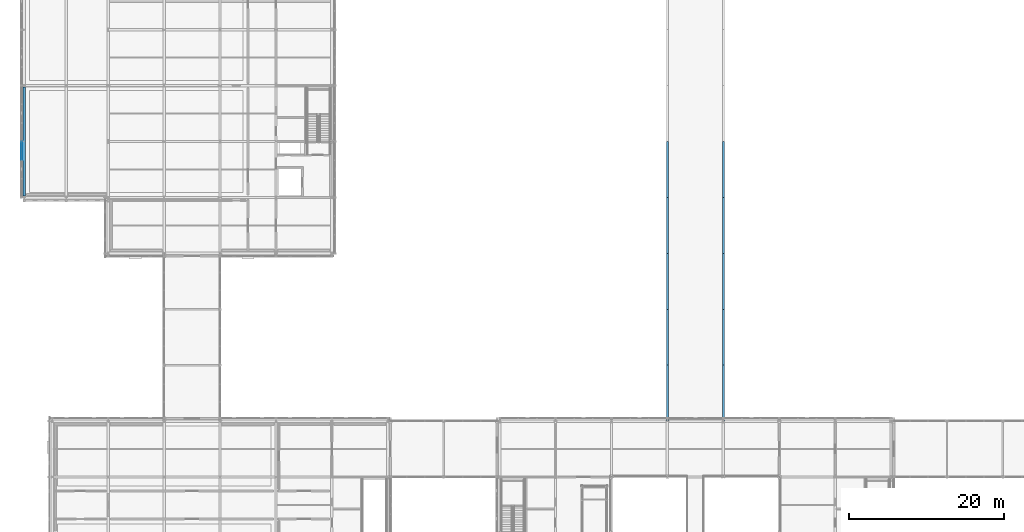
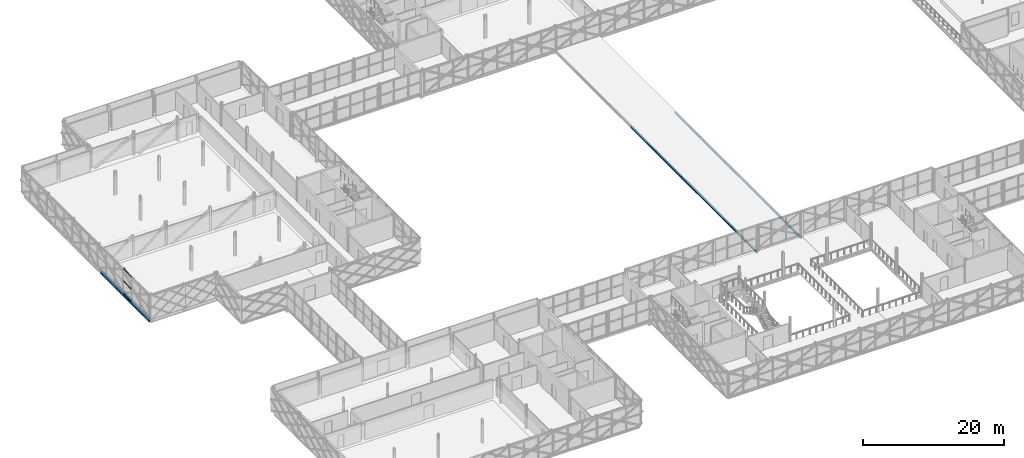
# One storey, part 39 of 126: 11 beams, 3 members, 1 element without a shape of its own.
"""IFC4 building model written with IfcOpenShell, lengths in metres."""

from ifc_helpers import new_model, si_unit, direction, frame, origin, origin_2d, place, context, subcontext, project, spatial, rectangle, i_section, extrude, material, material_profile, profile_set, type_object, element, aggregate, save


model = new_model("IFC4")

# Units and contexts
model_context = context("Model", 3, precision=1e-05, world=origin(), true_north=direction((0.0, 1.0)))
body_context = subcontext(model_context, "Body", "Model", "MODEL_VIEW")
ifc_project = project(units=[si_unit("LENGTHUNIT", "METRE"), si_unit("AREAUNIT", "SQUARE_METRE"), si_unit("VOLUMEUNIT", "CUBIC_METRE"), si_unit("PLANEANGLEUNIT", "RADIAN"), si_unit("MASSUNIT", "GRAM", prefix="KILO")], contexts=[model_context])

# Site, building, storey
site_placement = place(None, origin())
site = spatial("IfcSite", under=ifc_project, at=site_placement, CompositionType="ELEMENT")
building_placement = place(site_placement, origin())
building = spatial("IfcBuilding", under=site, at=building_placement, Name="Zlatovets Crest Museum", CompositionType="ELEMENT")
storey_placement = place(building_placement, frame((0.0, 0.0, 8.699951171875)))
storey = spatial("IfcBuildingStorey", under=building, at=storey_placement, Name="L02", CompositionType="ELEMENT", Elevation=8.699951171875)

# Beams
ifc_material_1 = material(Name="Structural steel S355J2", Category="steel")
ifc_material_profile_1 = material_profile(ifc_material_1, i_section(OverallWidth=0.239990234375, OverallDepth=0.22998046875, WebThickness=0.007568359375, FlangeThickness=0.011962890625, FilletRadius=0.02099609375, at=origin_2d()), Name="HEA 240")
ifc_profile_set_1 = profile_set([ifc_material_profile_1], Name="Structural steel S355J2")
beam_type_1 = type_object("IfcBeamType", Name="Beam_B-06", PredefinedType="BEAM", material=ifc_profile_set_1)
for number, where, z_axis, x_axis, name in (
    (1, (79.199951171875, 28.800048828125, -0.3349609375), (0.0, 1.0, 0.0), (-1.0, 0.0, 0.0), "Central Sculpture Court Cloister and Skywalk Roof Edge Beam"),
    (2, (79.199951171875, 36.0, -0.3349609375), (0.0, 1.0, 0.0), (-1.0, 0.0, 0.0), "Central Sculpture Court Cloister and Skywalk Roof Edge Beam"),
    (3, (79.199951171875, 43.199951171875, -0.3349609375), (0.0, 1.0, 0.0), (-1.0, 0.0, 0.0), "Central Sculpture Court Cloister and Skywalk Roof Edge Beam"),
):
    element("IfcBeam", number, at=place(storey_placement, frame(where, z_axis=z_axis, x_axis=x_axis)), inside=storey, type_object=beam_type_1, Name=name, PredefinedType="BEAM", context=body_context, shape_type="SweptSolid", body=[
        extrude(i_section(OverallWidth=0.239990234375, OverallDepth=0.22998046875, WebThickness=0.007568359375, FlangeThickness=0.011962890625, FilletRadius=0.02099609375, at=origin_2d()), origin(), (0.0, 0.0, 1.0), 7.199951171875),
    ])
beam_1_placement = place(storey_placement, frame((79.199951171875, 50.39990234375, -0.3349609375), z_axis=(0.0, 1.0, 0.0), x_axis=(-1.0, 0.0, 0.0)))
element("IfcBeam", 4, at=beam_1_placement, inside=storey, type_object=beam_type_1, Name="Central Sculpture Court Cloister and Skywalk Roof Edge Beam", PredefinedType="BEAM", context=body_context, shape_type="SweptSolid", body=[
    extrude(i_section(OverallWidth=0.239990234375, OverallDepth=0.22998046875, WebThickness=0.007568359375, FlangeThickness=0.011962890625, FilletRadius=0.02099609375, at=origin_2d()), origin(), (0.0, 0.0, 1.0), 7.2001953125),
])
for number, where, z_axis, x_axis, name in (
    (5, (79.199951171875, 57.60009765625, -0.3349609375), (0.0, 1.0, 0.0), (-1.0, 0.0, 0.0), "Central Sculpture Court Cloister and Skywalk Roof Edge Beam"),
    (6, (86.39990234375, 28.800048828125, -0.3349609375), (0.0, 1.0, 0.0), (-1.0, 0.0, 0.0), "Central Sculpture Court Cloister and Skywalk Roof Edge Beam"),
    (7, (86.39990234375, 36.0, -0.3349609375), (0.0, 1.0, 0.0), (-1.0, 0.0, 0.0), "Central Sculpture Court Cloister and Skywalk Roof Edge Beam"),
    (8, (86.39990234375, 43.199951171875, -0.3349609375), (0.0, 1.0, 0.0), (-1.0, 0.0, 0.0), "Central Sculpture Court Cloister and Skywalk Roof Edge Beam"),
):
    element("IfcBeam", number, at=place(storey_placement, frame(where, z_axis=z_axis, x_axis=x_axis)), inside=storey, type_object=beam_type_1, Name=name, PredefinedType="BEAM", context=body_context, shape_type="SweptSolid", body=[
        extrude(i_section(OverallWidth=0.239990234375, OverallDepth=0.22998046875, WebThickness=0.007568359375, FlangeThickness=0.011962890625, FilletRadius=0.02099609375, at=origin_2d()), origin(), (0.0, 0.0, 1.0), 7.199951171875),
    ])
beam_2_placement = place(storey_placement, frame((86.39990234375, 50.39990234375, -0.3349609375), z_axis=(0.0, 1.0, 0.0), x_axis=(-1.0, 0.0, 0.0)))
element("IfcBeam", 9, at=beam_2_placement, inside=storey, type_object=beam_type_1, Name="Central Sculpture Court Cloister and Skywalk Roof Edge Beam", PredefinedType="BEAM", context=body_context, shape_type="SweptSolid", body=[
    extrude(i_section(OverallWidth=0.239990234375, OverallDepth=0.22998046875, WebThickness=0.007568359375, FlangeThickness=0.011962890625, FilletRadius=0.02099609375, at=origin_2d()), origin(), (0.0, 0.0, 1.0), 7.2001953125),
])
beam_3_placement = place(storey_placement, frame((86.39990234375, 57.60009765625, -0.3349609375), z_axis=(0.0, 1.0, 0.0), x_axis=(-1.0, 0.0, 0.0)))
element("IfcBeam", 10, at=beam_3_placement, inside=storey, type_object=beam_type_1, Name="Central Sculpture Court Cloister and Skywalk Roof Edge Beam", PredefinedType="BEAM", context=body_context, shape_type="SweptSolid", body=[
    extrude(i_section(OverallWidth=0.239990234375, OverallDepth=0.22998046875, WebThickness=0.007568359375, FlangeThickness=0.011962890625, FilletRadius=0.02099609375, at=origin_2d()), origin(), (0.0, 0.0, 1.0), 7.199951171875),
])
ifc_material_profile_2 = material_profile(ifc_material_1, i_section(OverallWidth=0.300048828125, OverallDepth=0.699951171875, WebThickness=0.01708984375, FlangeThickness=0.031982421875, FilletRadius=0.027099609375, at=origin_2d()), Name="HEB 700")
ifc_profile_set_2 = profile_set([ifc_material_profile_2], Name="Structural steel S355J2")
beam_type_2 = type_object("IfcBeamType", Name="Beam_B-08", PredefinedType="BEAM", material=ifc_profile_set_2)
beam_4_placement = place(storey_placement, frame((-3.60009765625, 57.760009765625, -0.570068359375), z_axis=(0.0, 1.0, 0.0), x_axis=(-1.0, 0.0, 0.0)))
element("IfcBeam", 11, at=beam_4_placement, inside=storey, type_object=beam_type_2, Name="Cantilever Gallery L02 Floor Beam B-08", PredefinedType="BEAM", context=body_context, shape_type="SweptSolid", body=[
    extrude(i_section(OverallWidth=0.300048828125, OverallDepth=0.699951171875, WebThickness=0.01708984375, FlangeThickness=0.031982421875, FilletRadius=0.027099609375, at=origin_2d()), origin(), (0.0, 0.0, 1.0), 14.080078125),
])

# Curtain wall, members
ifc_material_2 = material(Name="Bronze-anodised aluminium and low-E triple glass", Category="aluminium")
curtain_wall_type = type_object("IfcCurtainWallType", Name="CW_CW-V4-L02-M2", PredefinedType="NOTDEFINED", material=ifc_material_2)
curtain_wall_placement = place(storey_placement, origin())
curtain_wall = element("IfcCurtainWall", 12, at=curtain_wall_placement, inside=storey, type_object=curtain_wall_type, Name="V4 L02 Secession Foyer Clear Curtain Wall", PredefinedType="NOTDEFINED")
ifc_material_3 = material(Name="Bronze-anodised aluminium EN AW-6060", Category="aluminium")
ifc_material_profile_3 = material_profile(ifc_material_3, rectangle(XDim=0.080078125, YDim=0.159912109375, at=origin_2d()), Name="ALU 80x160")
ifc_profile_set_3 = profile_set([ifc_material_profile_3], Name="Bronze-anodised aluminium EN AW-6060")
member_type = type_object("IfcMemberType", Name="CWTrans_T1", PredefinedType="USERDEFINED", material=ifc_profile_set_3)
member_1_placement = place(storey_placement, frame((-3.93994140625, 64.739990234375, 0.030029296875), z_axis=(0.0, -1.0, 0.0), x_axis=(1.0, 0.0, 0.0)))
member_1 = element("IfcMember", 13, at=member_1_placement, type_object=member_type, Name="CW-V4-L02-M2 transom 1.1", ObjectType="TRANSOM", PredefinedType="USERDEFINED", context=body_context, shape_type="SweptSolid", body=[
    extrude(rectangle(XDim=0.080078125, YDim=0.159912109375, at=origin_2d()), origin(), (0.0, 0.0, 1.0), 2.31005859375),
])
member_2_placement = place(storey_placement, frame((-3.93994140625, 64.739990234375, 2.10009765625), z_axis=(0.0, -1.0, 0.0), x_axis=(1.0, 0.0, 0.0)))
member_2 = element("IfcMember", 14, at=member_2_placement, type_object=member_type, Name="CW-V4-L02-M2 transom 1.2", ObjectType="TRANSOM", PredefinedType="USERDEFINED", context=body_context, shape_type="SweptSolid", body=[
    extrude(rectangle(XDim=0.080078125, YDim=0.159912109375, at=origin_2d()), origin(), (0.0, 0.0, 1.0), 2.31005859375),
])
member_3_placement = place(storey_placement, frame((-3.93994140625, 64.739990234375, 4.170166015625), z_axis=(0.0, -1.0, 0.0), x_axis=(1.0, 0.0, 0.0)))
member_3 = element("IfcMember", 15, at=member_3_placement, type_object=member_type, Name="CW-V4-L02-M2 transom 1.3", ObjectType="TRANSOM", PredefinedType="USERDEFINED", context=body_context, shape_type="SweptSolid", body=[
    extrude(rectangle(XDim=0.080078125, YDim=0.159912109375, at=origin_2d()), origin(), (0.0, 0.0, 1.0), 2.31005859375),
])
aggregate(curtain_wall, [member_1, member_2, member_3])

save(model, "model.ifc")
